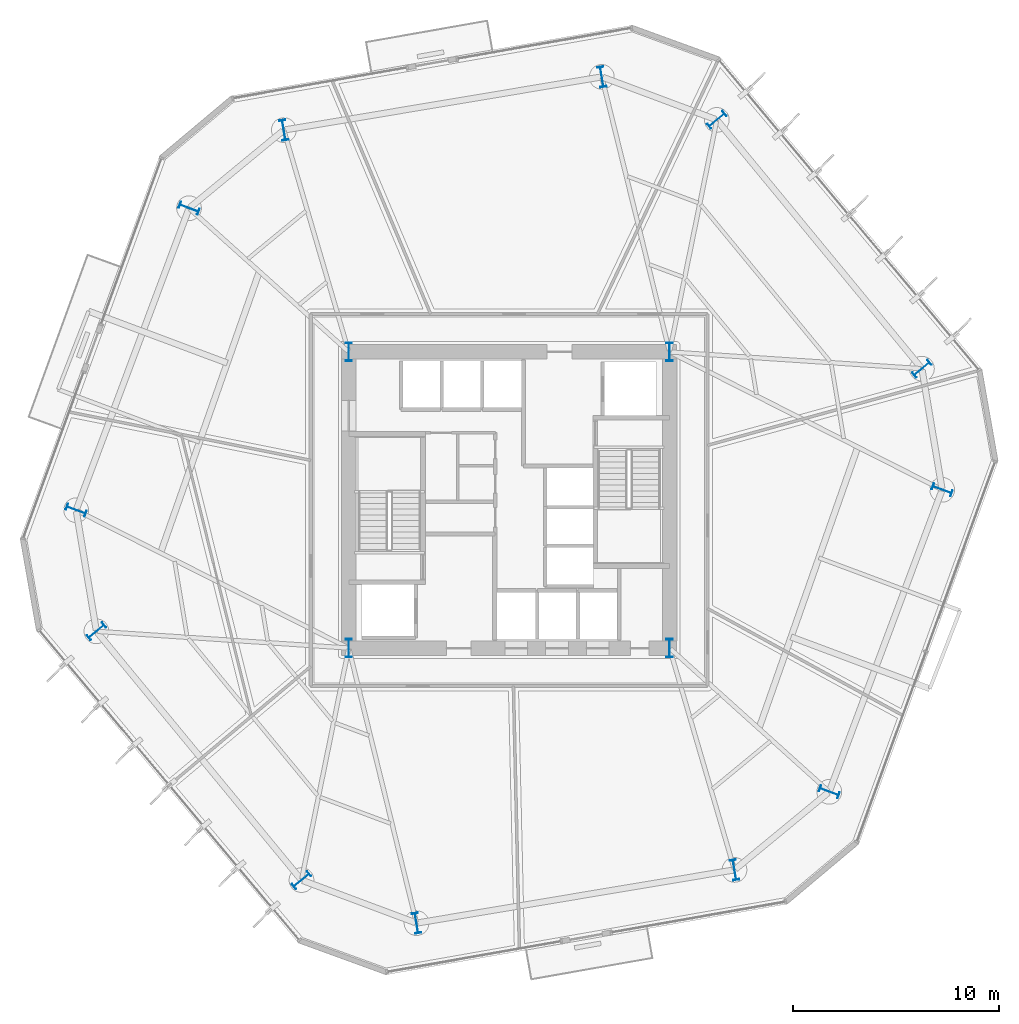
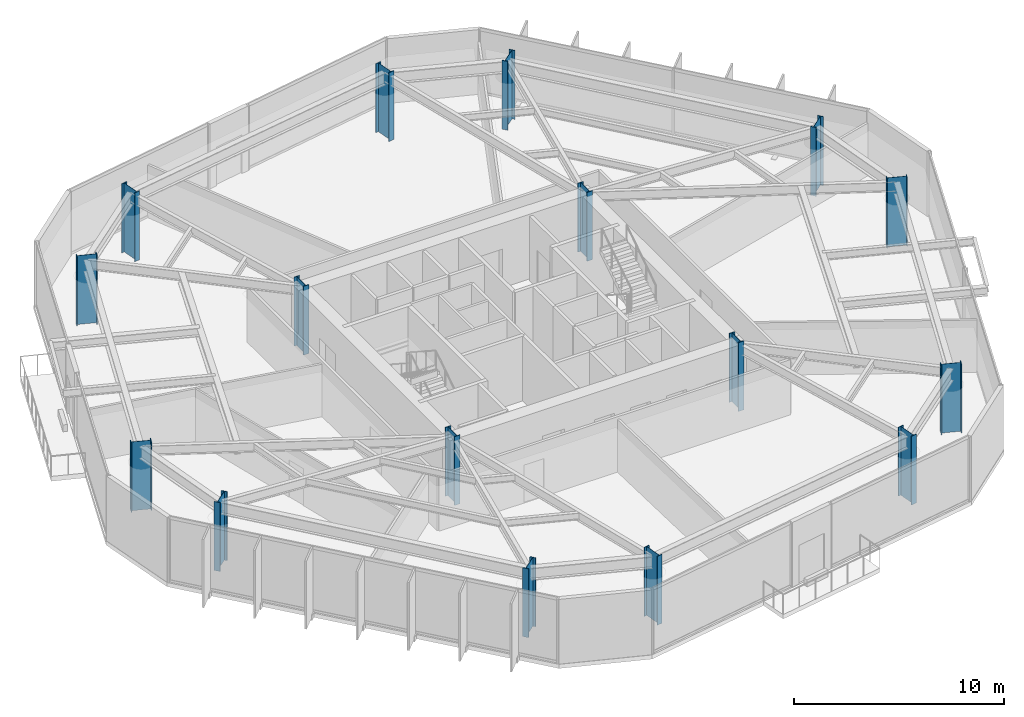
# One storey, part 1 of 10: 16 columns.
"""IFC4 building model written with IfcOpenShell, lengths in metres."""

from ifc_helpers import new_model, si_unit, direction, frame, origin, origin_2d, place, context, subcontext, project, spatial, i_section, extrude, material, material_profile, profile_set, type_object, element, save


model = new_model("IFC4")

# Units and contexts
model_context = context("Model", 3, precision=1e-05, world=origin(), true_north=direction((0.0, 1.0)))
body_context = subcontext(model_context, "Body", "Model", "MODEL_VIEW")
ifc_project = project(units=[si_unit("LENGTHUNIT", "METRE"), si_unit("AREAUNIT", "SQUARE_METRE"), si_unit("VOLUMEUNIT", "CUBIC_METRE"), si_unit("PLANEANGLEUNIT", "RADIAN"), si_unit("MASSUNIT", "GRAM", prefix="KILO")], contexts=[model_context])

# Site, building, storey
site_placement = place(None, origin())
site = spatial("IfcSite", under=ifc_project, at=site_placement, CompositionType="ELEMENT")
building_placement = place(site_placement, origin())
building = spatial("IfcBuilding", under=site, at=building_placement, Name="Kranzbogen Civic Tower", CompositionType="ELEMENT")
storey_placement = place(building_placement, frame((0.0, 0.0, 60.0)))
storey = spatial("IfcBuildingStorey", under=building, at=storey_placement, Name="L14", CompositionType="ELEMENT", Elevation=60.0)

# Columns
ifc_material_1 = material(Name="Steel S355", Category="steel")
ifc_material_profile_1 = material_profile(ifc_material_1, i_section(OverallWidth=0.300048828125, OverallDepth=1.0, WebThickness=0.01904296875, FlangeThickness=0.035888671875, at=origin_2d()), Name="HEB 1000")
ifc_profile_set_1 = profile_set([ifc_material_profile_1], Name="Steel S355")
column_type_1 = type_object("IfcColumnType", Name="Structural Column HEB 1000", PredefinedType="COLUMN", material=ifc_profile_set_1)
for number, where, z_axis, x_axis, name in (
    (1, (45.072021484375, 31.385986328125, 0.0), (0.0, 0.0, 1.0), (-0.636078220278, 0.771624583388, 0.0), "L14 tower perimeter tube column 01"),
    (2, (35.09912109375, 43.48388671875, 0.0), (0.0, 0.0, 1.0), (-0.636078220278, 0.771624583388, 0.0), "L14 tower perimeter tube column 02"),
    (3, (29.5048828125, 45.575927734375, 0.0), (0.0, 0.0, 1.0), (0.986285601537, 0.165047605861, 0.0), "L14 tower perimeter tube column 03"),
    (4, (14.0419921875, 42.988037109375, 0.0), (0.0, 0.0, 1.0), (0.986285601537, 0.165047605861, 0.0), "L14 tower perimeter tube column 04"),
    (5, (9.43310546875, 39.18896484375, 0.0), (0.0, 0.0, 1.0), (0.350207381259, 0.936672189248, 0.0), "L14 tower perimeter tube column 05"),
    (6, (3.943115234375, 24.50390625, 0.0), (0.0, 0.0, 1.0), (0.350207381259, 0.936672189248, 0.0), "L14 tower perimeter tube column 06"),
    (7, (4.927978515625, 18.614013671875, 0.0), (0.0, 0.0, 1.0), (-0.636078220278, 0.771624583388, 0.0), "L14 tower perimeter tube column 07"),
    (8, (14.90087890625, 6.51611328125, 0.0), (0.0, 0.0, 1.0), (-0.636078220278, 0.771624583388, 0.0), "L14 tower perimeter tube column 08"),
    (9, (20.4951171875, 4.424072265625, 0.0), (0.0, 0.0, 1.0), (0.986285601537, 0.165047605861, 0.0), "L14 tower perimeter tube column 09"),
    (10, (35.9580078125, 7.011962890625, 0.0), (0.0, 0.0, 1.0), (0.986285601537, 0.165047605861, 0.0), "L14 tower perimeter tube column 10"),
    (11, (40.56689453125, 10.81103515625, 0.0), (0.0, 0.0, 1.0), (0.350207381259, 0.936672189248, 0.0), "L14 tower perimeter tube column 11"),
    (12, (46.056884765625, 25.49609375, 0.0), (0.0, 0.0, 1.0), (0.350207381259, 0.936672189248, 0.0), "L14 tower perimeter tube column 12"),
):
    element("IfcColumn", number, at=place(storey_placement, frame(where, z_axis=z_axis, x_axis=x_axis)), inside=storey, type_object=column_type_1, Name=name, PredefinedType="COLUMN", context=body_context, shape_type="SweptSolid", body=[
        extrude(i_section(OverallWidth=0.300048828125, OverallDepth=1.0, WebThickness=0.01904296875, FlangeThickness=0.035888671875, at=origin_2d()), origin(), (0.0, 0.0, 1.0), 4.0),
    ])
ifc_material_2 = material(Name="Steel S460", Category="steel")
ifc_material_profile_2 = material_profile(ifc_material_2, i_section(OverallWidth=0.302001953125, OverallDepth=0.909912109375, WebThickness=0.02099609375, FlangeThickness=0.0400390625, at=origin_2d()), Name="HEM 900")
ifc_profile_set_2 = profile_set([ifc_material_profile_2], Name="Steel S460")
column_type_2 = type_object("IfcColumnType", Name="Structural Column HEM 900", PredefinedType="COLUMN", material=ifc_profile_set_2)
for number, where, z_axis, x_axis, name in (
    (13, (17.199951171875, 17.800048828125, 0.0), (0.0, 0.0, 1.0), (1.0, 0.0, 0.0), "L14 composite core corner column 1"),
    (14, (32.800048828125, 17.800048828125, 0.0), (0.0, 0.0, 1.0), (1.0, 0.0, 0.0), "L14 composite core corner column 2"),
    (15, (32.800048828125, 32.199951171875, 0.0), (0.0, 0.0, 1.0), (1.0, 0.0, 0.0), "L14 composite core corner column 3"),
    (16, (17.199951171875, 32.199951171875, 0.0), (0.0, 0.0, 1.0), (1.0, 0.0, 0.0), "L14 composite core corner column 4"),
):
    element("IfcColumn", number, at=place(storey_placement, frame(where, z_axis=z_axis, x_axis=x_axis)), inside=storey, type_object=column_type_2, Name=name, PredefinedType="COLUMN", context=body_context, shape_type="SweptSolid", body=[
        extrude(i_section(OverallWidth=0.302001953125, OverallDepth=0.909912109375, WebThickness=0.02099609375, FlangeThickness=0.0400390625, at=origin_2d()), origin(), (0.0, 0.0, 1.0), 4.0),
    ])

save(model, "model.ifc")
